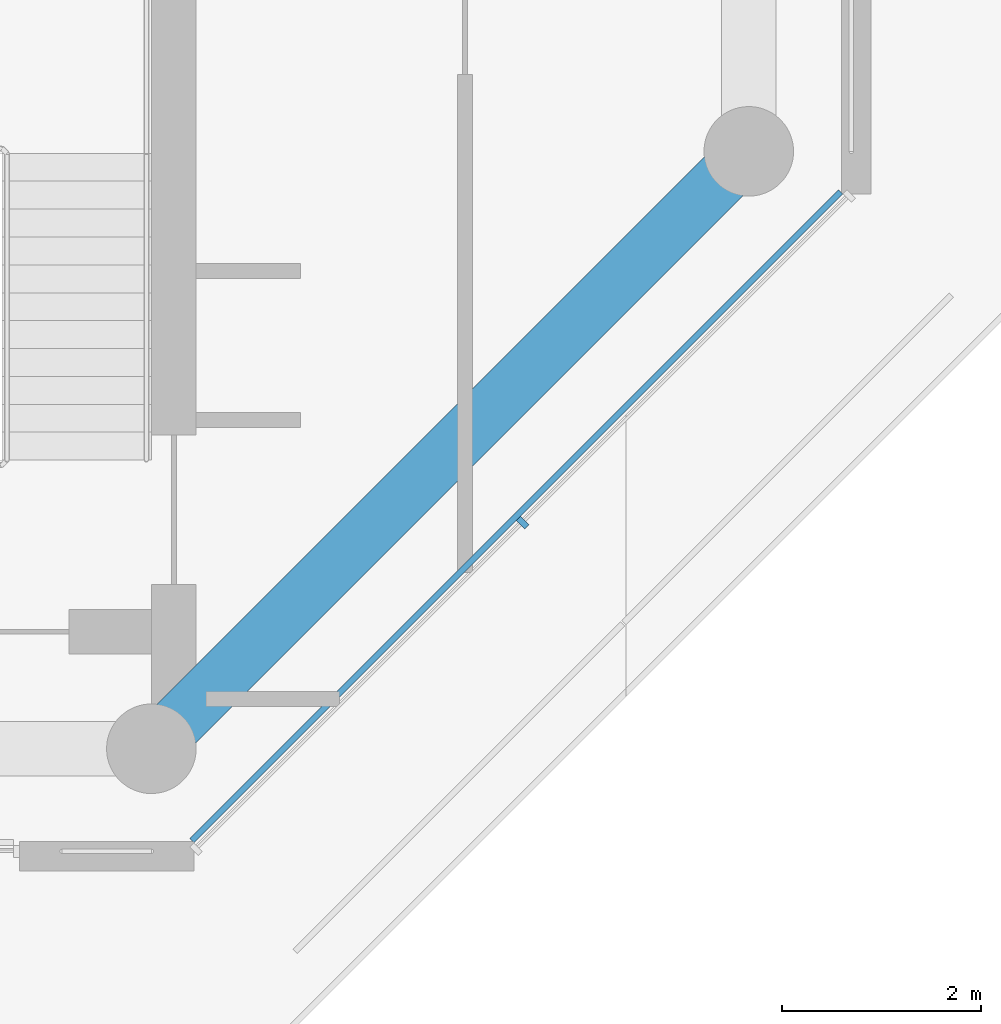
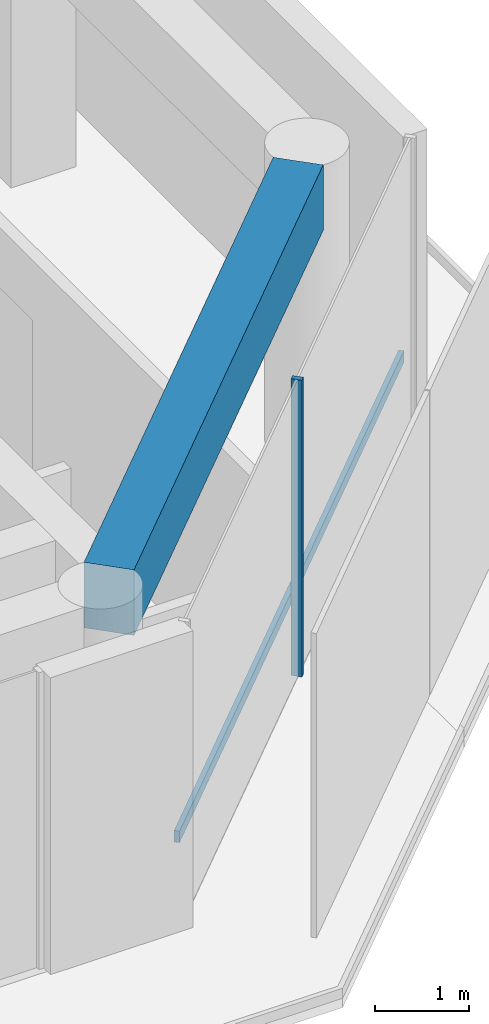
# One storey, part 3 of 19: 2 members, 1 beam, 1 element without a shape of its own.
"""IFC4 building model written with IfcOpenShell, lengths in metres."""

from ifc_helpers import new_model, si_unit, direction, frame, origin, origin_2d, place, context, subcontext, project, spatial, rectangle, extrude, material, layer, layer_set, material_profile, profile_set, type_object, element, aggregate, save


model = new_model("IFC4")

# Units and contexts
model_context = context("Model", 3, precision=1e-05, world=origin(), true_north=direction((0.0, 1.0)))
body_context = subcontext(model_context, "Body", "Model", "MODEL_VIEW")
ifc_project = project(units=[si_unit("LENGTHUNIT", "METRE"), si_unit("AREAUNIT", "SQUARE_METRE"), si_unit("VOLUMEUNIT", "CUBIC_METRE"), si_unit("PLANEANGLEUNIT", "RADIAN"), si_unit("MASSUNIT", "GRAM", prefix="KILO")], contexts=[model_context])

# Site, building, storey
site_placement = place(None, origin())
site = spatial("IfcSite", under=ifc_project, at=site_placement, CompositionType="ELEMENT")
building_placement = place(site_placement, origin())
building = spatial("IfcBuilding", under=site, at=building_placement, Name="Welwitschia Terrace Campus", CompositionType="ELEMENT")
storey_placement = place(building_placement, frame((0.0, 0.0, 230.60009765625)))
storey = spatial("IfcBuildingStorey", under=building, at=storey_placement, Name="L51", CompositionType="ELEMENT", Elevation=230.60009765625)

# Curtain wall, member
ifc_material_1 = material(Name="Bronze anodised aluminium", Category="aluminium")
ifc_layer = layer(ifc_material_1, 0.1201171875)
ifc_layer_set = layer_set([ifc_layer], Name="Bronze anodised aluminium")
curtain_wall_type = type_object("IfcCurtainWallType", Name="Curtain wall CW2 tower 6000", PredefinedType="NOTDEFINED", material=ifc_layer_set)
curtain_wall_placement = place(storey_placement, origin())
curtain_wall = element("IfcCurtainWall", 1, at=curtain_wall_placement, inside=storey, type_object=curtain_wall_type, Name="CW L51.6.0", PredefinedType="NOTDEFINED")
ifc_material_2 = material(Name="Bronze anodised aluminium", Category="aluminium")
ifc_material_profile_1 = material_profile(ifc_material_2, rectangle(XDim=0.1201171875, YDim=0.06005859375, at=origin_2d()))
ifc_profile_set_1 = profile_set([ifc_material_profile_1], Name="Bronze anodised aluminium")
member_type_1 = type_object("IfcMemberType", Name="Mullion 60x120", PredefinedType="MULLION", material=ifc_profile_set_1)
member_1_placement = place(storey_placement, frame((27.728271484375, 6.271728515625, 0.0), z_axis=(0.0, 0.0, 1.0), x_axis=(-0.707106781187, 0.707106781187, 0.0)))
member_1 = element("IfcMember", 2, at=member_1_placement, type_object=member_type_1, Name="Mullion L51.6.0.1", PredefinedType="MULLION", context=body_context, shape_type="SweptSolid", body=[
    extrude(rectangle(XDim=0.1201171875, YDim=0.06005859375, at=origin_2d()), origin(), (0.0, 0.0, 1.0), 3.849853515625),
])

# Beam
ifc_material_3 = material(Name="Concrete C50/60", Category="concrete")
ifc_material_profile_2 = material_profile(ifc_material_3, rectangle(XDim=0.550048828125, YDim=0.85009765625, at=origin_2d()))
ifc_profile_set_2 = profile_set([ifc_material_profile_2], Name="Concrete C50/60")
beam_type = type_object("IfcBeamType", Name="Ring spandrel 550x850", PredefinedType="SPANDREL", material=ifc_profile_set_2)
beam_placement = place(storey_placement, frame((24.25244140625, 4.25244140625, 3.4248046875), z_axis=(0.707106781187, 0.707106781187, 0.0), x_axis=(-0.707106781187, 0.707106781187, 0.0)))
element("IfcBeam", 3, at=beam_placement, inside=storey, type_object=beam_type, Name="Spandrel SP3", PredefinedType="SPANDREL", context=body_context, shape_type="SweptSolid", body=[
    extrude(rectangle(XDim=0.550048828125, YDim=0.85009765625, at=origin_2d()), origin(), (0.0, 0.0, 1.0), 7.771240234375),
])

# Member
ifc_material_4 = material(Name="Bronze anodised aluminium", Category="aluminium")
ifc_material_profile_3 = material_profile(ifc_material_4, rectangle(XDim=0.06005859375, YDim=0.14990234375, at=origin_2d()))
ifc_profile_set_3 = profile_set([ifc_material_profile_3], Name="Bronze anodised aluminium")
member_type_2 = type_object("IfcMemberType", Name="Transom 60x150", PredefinedType="USERDEFINED", material=ifc_profile_set_3)
member_2_placement = place(storey_placement, frame((24.405517578125, 3.076171875, 1.0), z_axis=(0.707106781187, 0.707106781187, 0.0), x_axis=(-0.707106781187, 0.707106781187, 0.0)))
member_2 = element("IfcMember", 4, at=member_2_placement, type_object=member_type_2, Name="Transom L51.6.0", ObjectType="TRANSOM", PredefinedType="USERDEFINED", context=body_context, shape_type="SweptSolid", body=[
    extrude(rectangle(XDim=0.06005859375, YDim=0.14990234375, at=origin_2d()), origin(), (0.0, 0.0, 1.0), 9.21826171875),
])

aggregate(curtain_wall, [member_1, member_2])

save(model, "model.ifc")
